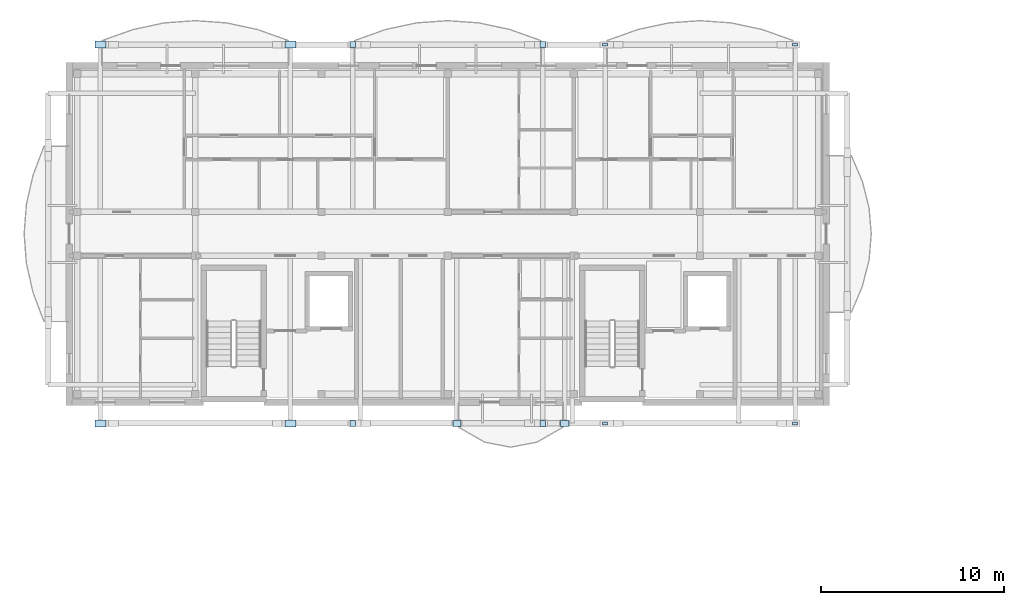
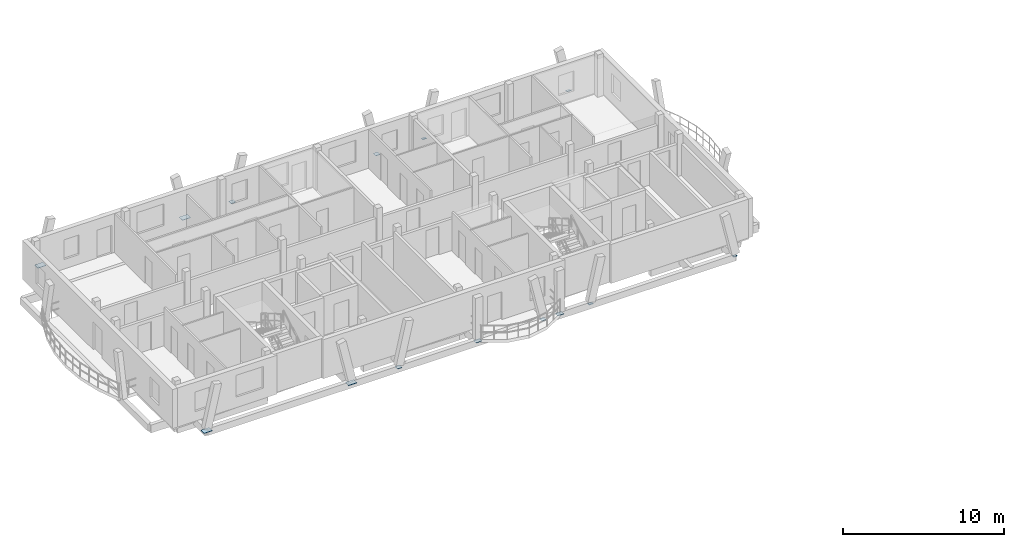
# One storey, part 11 of 33: 14 plates.
"""IFC4 building model written with IfcOpenShell, lengths in metres."""

from ifc_helpers import new_model, si_unit, direction, frame, origin, origin_2d, place, context, subcontext, project, spatial, rectangle, extrude, material, layer, layer_set, type_object, element, save


model = new_model("IFC4")

# Units and contexts
model_context = context("Model", 3, precision=1e-05, world=origin(), true_north=direction((0.0, 1.0)))
body_context = subcontext(model_context, "Body", "Model", "MODEL_VIEW")
ifc_project = project(units=[si_unit("LENGTHUNIT", "METRE"), si_unit("AREAUNIT", "SQUARE_METRE"), si_unit("VOLUMEUNIT", "CUBIC_METRE"), si_unit("PLANEANGLEUNIT", "RADIAN"), si_unit("MASSUNIT", "GRAM", prefix="KILO")], contexts=[model_context])

# Site, building, storey
site_placement = place(None, origin())
site = spatial("IfcSite", under=ifc_project, at=site_placement, CompositionType="ELEMENT")
building_placement = place(site_placement, origin())
building = spatial("IfcBuilding", under=site, at=building_placement, Name="Zavelmont Quarter", CompositionType="ELEMENT")
storey_placement = place(building_placement, frame((0.0, 0.0, 30.39990234375)))
storey = spatial("IfcBuildingStorey", under=building, at=storey_placement, Name="L09", CompositionType="ELEMENT", Elevation=30.39990234375)

# Plates
ifc_material = material(Name="Steel S355", Category="steel")
ifc_layer_1 = layer(ifc_material, 0.02001953125)
ifc_layer_set_1 = layer_set([ifc_layer_1], Name="Steel S355")
plate_type_1 = type_object("IfcPlateType", Name="NP01", PredefinedType="SHEET", material=ifc_layer_set_1)
for number, where, z_axis, x_axis, name in (
    (1, (29.3037109375, 117.162109375, -0.2099609375), (0.0, 0.0, 1.0), (1.0, 0.0, 0.0), "L09 steel connection plate NP01 at 5/S"),
    (2, (39.6962890625, 117.162109375, -0.2099609375), (0.0, 0.0, 1.0), (1.0, 0.0, 0.0), "L09 steel connection plate NP01 at 7/S"),
    (3, (29.3037109375, 96.43798828125, -0.2099609375), (0.0, 0.0, 1.0), (1.0, 0.0, 0.0), "L09 steel connection plate NP01 at 5/P"),
    (4, (39.6962890625, 96.43798828125, -0.2099609375), (0.0, 0.0, 1.0), (1.0, 0.0, 0.0), "L09 steel connection plate NP01 at 7/P"),
):
    element("IfcPlate", number, at=place(storey_placement, frame(where, z_axis=z_axis, x_axis=x_axis)), inside=storey, type_object=plate_type_1, Name=name, PredefinedType="SHEET", context=body_context, shape_type="SweptSolid", body=[
        extrude(rectangle(XDim=0.280029296875, YDim=0.179931640625, at=origin_2d()), origin(), (0.0, 0.0, 1.0), 0.02001953125),
    ])
ifc_layer_2 = layer(ifc_material, 0.02490234375)
ifc_layer_set_2 = layer_set([ifc_layer_2], Name="Steel S355")
plate_type_2 = type_object("IfcPlateType", Name="NP03", PredefinedType="SHEET", material=ifc_layer_set_2)
for number, where, z_axis, x_axis, name in (
    (5, (21.199951171875, 96.43798828125, -0.21240234375), (0.0, 0.0, 1.0), (1.0, 0.0, 0.0), "L09 steel connection plate NP03 at 4/P"),
    (6, (27.10009765625, 96.43798828125, -0.21240234375), (0.0, 0.0, 1.0), (1.0, 0.0, 0.0), "L09 steel connection plate NP03 at 5/P"),
):
    element("IfcPlate", number, at=place(storey_placement, frame(where, z_axis=z_axis, x_axis=x_axis)), inside=storey, type_object=plate_type_2, Name=name, PredefinedType="SHEET", context=body_context, shape_type="SweptSolid", body=[
        extrude(rectangle(XDim=0.43994140625, YDim=0.320068359375, at=origin_2d()), origin(), (0.0, 0.0, 1.0), 0.02490234375),
    ])
ifc_layer_3 = layer(ifc_material, 0.030029296875)
ifc_layer_set_3 = layer_set([ifc_layer_3], Name="Steel S355")
plate_type_3 = type_object("IfcPlateType", Name="NP05", PredefinedType="SHEET", material=ifc_layer_set_3)
for number, where, z_axis, x_axis, name in (
    (7, (1.703857421875, 117.162109375, -0.21484375), (0.0, 0.0, 1.0), (1.0, 0.0, 0.0), "L09 steel connection plate NP05 at 1/S"),
    (8, (12.09619140625, 117.162109375, -0.21484375), (0.0, 0.0, 1.0), (1.0, 0.0, 0.0), "L09 steel connection plate NP05 at 3/S"),
    (9, (1.703857421875, 96.43798828125, -0.21484375), (0.0, 0.0, 1.0), (1.0, 0.0, 0.0), "L09 steel connection plate NP05 at 1/P"),
    (10, (12.09619140625, 96.43798828125, -0.21484375), (0.0, 0.0, 1.0), (1.0, 0.0, 0.0), "L09 steel connection plate NP05 at 3/P"),
):
    element("IfcPlate", number, at=place(storey_placement, frame(where, z_axis=z_axis, x_axis=x_axis)), inside=storey, type_object=plate_type_3, Name=name, PredefinedType="SHEET", context=body_context, shape_type="SweptSolid", body=[
        extrude(rectangle(XDim=0.60009765625, YDim=0.39990234375, at=origin_2d()), origin(), (0.0, 0.0, 1.0), 0.030029296875),
    ])
ifc_layer_4 = layer(ifc_material, 0.02197265625)
ifc_layer_set_4 = layer_set([ifc_layer_4], Name="Steel S355")
plate_type_4 = type_object("IfcPlateType", Name="NP06", PredefinedType="SHEET", material=ifc_layer_set_4)
for number, where, z_axis, x_axis, name in (
    (11, (15.50390625, 117.162109375, -0.2109375), (0.0, 0.0, 1.0), (1.0, 0.0, 0.0), "L09 steel connection plate NP06 at 3/S"),
    (12, (25.896240234375, 117.162109375, -0.2109375), (0.0, 0.0, 1.0), (1.0, 0.0, 0.0), "L09 steel connection plate NP06 at 5/S"),
    (13, (15.50390625, 96.43798828125, -0.2109375), (0.0, 0.0, 1.0), (1.0, 0.0, 0.0), "L09 steel connection plate NP06 at 3/P"),
    (14, (25.896240234375, 96.43798828125, -0.2109375), (0.0, 0.0, 1.0), (1.0, 0.0, 0.0), "L09 steel connection plate NP06 at 5/P"),
):
    element("IfcPlate", number, at=place(storey_placement, frame(where, z_axis=z_axis, x_axis=x_axis)), inside=storey, type_object=plate_type_4, Name=name, PredefinedType="SHEET", context=body_context, shape_type="SweptSolid", body=[
        extrude(rectangle(XDim=0.320068359375, YDim=0.320068359375, at=origin_2d()), origin(), (0.0, 0.0, 1.0), 0.02197265625),
    ])

save(model, "model.ifc")
